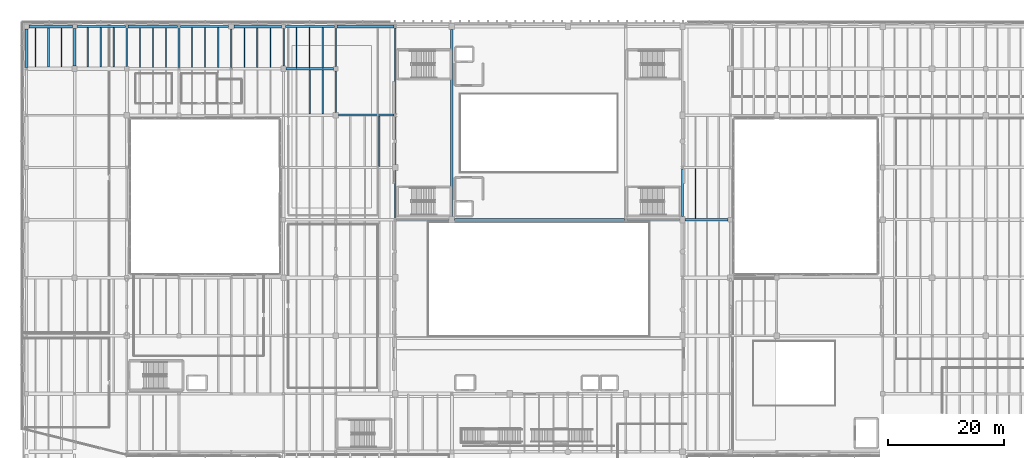
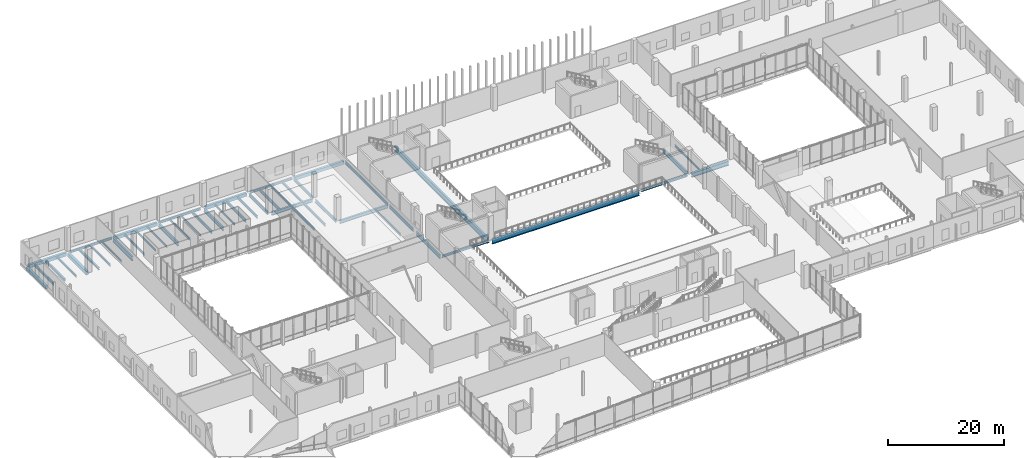
# One storey, part 37 of 81: 48 beams.
"""IFC4 building model written with IfcOpenShell, lengths in metres."""

from ifc_helpers import new_model, si_unit, direction, frame, origin, origin_2d, place, context, subcontext, project, spatial, rectangle, i_section, extrude, material, material_profile, profile_set, type_object, element, save


model = new_model("IFC4")

# Units and contexts
model_context = context("Model", 3, precision=1e-05, world=origin(), true_north=direction((0.0, 1.0)))
body_context = subcontext(model_context, "Body", "Model", "MODEL_VIEW")
ifc_project = project(units=[si_unit("LENGTHUNIT", "METRE"), si_unit("AREAUNIT", "SQUARE_METRE"), si_unit("VOLUMEUNIT", "CUBIC_METRE"), si_unit("PLANEANGLEUNIT", "RADIAN"), si_unit("MASSUNIT", "GRAM", prefix="KILO")], contexts=[model_context])

# Site, building, storey
site_placement = place(None, origin())
site = spatial("IfcSite", under=ifc_project, at=site_placement, CompositionType="ELEMENT")
building_placement = place(site_placement, origin())
building = spatial("IfcBuilding", under=site, at=building_placement, Name="Trimount Lyric Opera House", CompositionType="ELEMENT")
storey_placement = place(building_placement, frame((0.0, 0.0, 5.0)))
storey = spatial("IfcBuildingStorey", under=building, at=storey_placement, Name="L01", CompositionType="ELEMENT", Elevation=5.0)

# Beams
ifc_material_1 = material(Name="Steel ASTM A992 Grade 50", Category="steel")
ifc_material_profile_1 = material_profile(ifc_material_1, i_section(OverallWidth=0.4189453125, OverallDepth=0.927001953125, WebThickness=0.019287109375, FlangeThickness=0.031982421875, FilletRadius=0.02392578125, at=origin_2d()), Name="W36X231")
ifc_profile_set_1 = profile_set([ifc_material_profile_1], Name="Steel ASTM A992 Grade 50")
beam_type_1 = type_object("IfcBeamType", Name="B-02", PredefinedType="BEAM", material=ifc_profile_set_1)
beam_1_placement = place(storey_placement, frame((114.18994140625, 84.0, -0.78857421875), z_axis=(1.0, 0.0, 0.0), x_axis=(0.0, 1.0, 0.0)))
element("IfcBeam", 1, at=beam_1_placement, inside=storey, type_object=beam_type_1, Name="L01 girder X-0539", PredefinedType="BEAM", context=body_context, shape_type="SweptSolid", body=[
    extrude(i_section(OverallWidth=0.4189453125, OverallDepth=0.927001953125, WebThickness=0.019287109375, FlangeThickness=0.031982421875, FilletRadius=0.02392578125, at=origin_2d()), origin(), (0.0, 0.0, 1.0), 7.41015625),
])
ifc_material_2 = material(Name="Steel ASTM A992 Grade 50", Category="steel")
ifc_material_profile_2 = material_profile(ifc_material_2, i_section(OverallWidth=0.304931640625, OverallDepth=0.9189453125, WebThickness=0.017333984375, FlangeThickness=0.02783203125, FilletRadius=0.02001953125, at=origin_2d()), Name="W36X170")
ifc_profile_set_2 = profile_set([ifc_material_profile_2], Name="Steel ASTM A992 Grade 50")
beam_type_2 = type_object("IfcBeamType", Name="B-03", PredefinedType="BEAM", material=ifc_profile_set_2)
beam_2_placement = place(storey_placement, frame((18.0, 110.375, -0.739501953125), z_axis=(0.0, 1.0, 0.0), x_axis=(-1.0, 0.0, 0.0)))
element("IfcBeam", 2, at=beam_2_placement, inside=storey, type_object=beam_type_2, Name="L01 girder Y-0618", PredefinedType="BEAM", context=body_context, shape_type="SweptSolid", body=[
    extrude(i_section(OverallWidth=0.304931640625, OverallDepth=0.9189453125, WebThickness=0.017333984375, FlangeThickness=0.02783203125, FilletRadius=0.02001953125, at=origin_2d()), origin(), (0.0, 0.0, 1.0), 6.72705078125),
])
beam_3_placement = place(storey_placement, frame((113.739990234375, 84.550048828125, -0.784423828125), z_axis=(0.0, 1.0, 0.0), x_axis=(-1.0, 0.0, 0.0)))
element("IfcBeam", 3, at=beam_3_placement, inside=storey, type_object=beam_type_2, Name="L01 girder Y-0667", PredefinedType="BEAM", context=body_context, shape_type="SweptSolid", body=[
    extrude(i_section(OverallWidth=0.304931640625, OverallDepth=0.9189453125, WebThickness=0.017333984375, FlangeThickness=0.02783203125, FilletRadius=0.02001953125, at=origin_2d()), origin(), (0.0, 0.0, 1.0), 8.217529296875),
])
ifc_material_3 = material(Name="Steel ASTM A992 Grade 50", Category="steel")
ifc_material_profile_3 = material_profile(ifc_material_3, i_section(OverallWidth=0.2919921875, OverallDepth=0.845947265625, WebThickness=0.015380859375, FlangeThickness=0.0244140625, FilletRadius=0.01806640625, at=origin_2d()), Name="W33X141")
ifc_profile_set_3 = profile_set([ifc_material_profile_3], Name="Steel ASTM A992 Grade 50")
beam_type_3 = type_object("IfcBeamType", Name="B-05", PredefinedType="BEAM", material=ifc_profile_set_3)
beam_4_placement = place(storey_placement, frame((27.0, 110.177978515625, -0.702880859375), z_axis=(0.0, 1.0, 0.0), x_axis=(-1.0, 0.0, 0.0)))
element("IfcBeam", 4, at=beam_4_placement, inside=storey, type_object=beam_type_3, Name="L01 girder Y-0622", PredefinedType="BEAM", context=body_context, shape_type="SweptSolid", body=[
    extrude(i_section(OverallWidth=0.2919921875, OverallDepth=0.845947265625, WebThickness=0.015380859375, FlangeThickness=0.0244140625, FilletRadius=0.01806640625, at=origin_2d()), origin(), (0.0, 0.0, 1.0), 6.91796875),
])
ifc_material_4 = material(Name="Steel ASTM A992 Grade 50", Category="steel")
ifc_material_profile_4 = material_profile(ifc_material_4, i_section(OverallWidth=0.26708984375, OverallDepth=0.761962890625, WebThickness=0.014404296875, FlangeThickness=0.021484375, FilletRadius=0.01708984375, at=origin_2d()), Name="W30X116")
ifc_profile_set_4 = profile_set([ifc_material_profile_4], Name="Steel ASTM A992 Grade 50")
beam_type_4 = type_object("IfcBeamType", Name="B-07", PredefinedType="BEAM", material=ifc_profile_set_4)
beam_5_placement = place(storey_placement, frame((36.0, 110.18408203125, -0.660888671875), z_axis=(0.0, 1.0, 0.0), x_axis=(-1.0, 0.0, 0.0)))
element("IfcBeam", 5, at=beam_5_placement, inside=storey, type_object=beam_type_4, Name="L01 girder Y-0626", PredefinedType="BEAM", context=body_context, shape_type="SweptSolid", body=[
    extrude(i_section(OverallWidth=0.26708984375, OverallDepth=0.761962890625, WebThickness=0.014404296875, FlangeThickness=0.021484375, FilletRadius=0.01708984375, at=origin_2d()), origin(), (0.0, 0.0, 1.0), 6.64599609375),
])
beam_6_placement = place(storey_placement, frame((64.260009765625, 84.232421875, -0.7060546875), z_axis=(0.0, 1.0, 0.0), x_axis=(-1.0, 0.0, 0.0)))
element("IfcBeam", 6, at=beam_6_placement, inside=storey, type_object=beam_type_4, Name="L01 girder Y-0653", PredefinedType="BEAM", context=body_context, shape_type="SweptSolid", body=[
    extrude(i_section(OverallWidth=0.26708984375, OverallDepth=0.761962890625, WebThickness=0.014404296875, FlangeThickness=0.021484375, FilletRadius=0.01708984375, at=origin_2d()), origin(), (0.0, 0.0, 1.0), 8.217529296875),
])
ifc_material_5 = material(Name="Steel ASTM A992 Grade 50", Category="steel")
ifc_material_profile_5 = material_profile(ifc_material_5, i_section(OverallWidth=0.35595703125, OverallDepth=0.700927734375, WebThickness=0.016845703125, FlangeThickness=0.02734375, FilletRadius=0.01806640625, at=origin_2d()), Name="W27X161")
ifc_profile_set_5 = profile_set([ifc_material_profile_5], Name="Steel ASTM A992 Grade 50")
beam_type_5 = type_object("IfcBeamType", Name="B-08", PredefinedType="BEAM", material=ifc_profile_set_5)
beam_7_placement = place(storey_placement, frame((54.449951171875, 102.0, -0.675537109375), z_axis=(1.0, 0.0, 0.0), x_axis=(0.0, 1.0, 0.0)))
element("IfcBeam", 7, at=beam_7_placement, inside=storey, type_object=beam_type_5, Name="L01 girder X-0555", PredefinedType="BEAM", context=body_context, shape_type="SweptSolid", body=[
    extrude(i_section(OverallWidth=0.35595703125, OverallDepth=0.700927734375, WebThickness=0.016845703125, FlangeThickness=0.02734375, FilletRadius=0.01806640625, at=origin_2d()), origin(), (0.0, 0.0, 1.0), 9.59912109375),
])
beam_8_placement = place(storey_placement, frame((45.449951171875, 110.0, -0.630615234375), z_axis=(1.0, 0.0, 0.0), x_axis=(0.0, 1.0, 0.0)))
element("IfcBeam", 8, at=beam_8_placement, inside=storey, type_object=beam_type_5, Name="L01 girder X-0568", PredefinedType="BEAM", context=body_context, shape_type="SweptSolid", body=[
    extrude(i_section(OverallWidth=0.35595703125, OverallDepth=0.700927734375, WebThickness=0.016845703125, FlangeThickness=0.02734375, FilletRadius=0.01806640625, at=origin_2d()), origin(), (0.0, 0.0, 1.0), 8.175048828125),
])
ifc_material_6 = material(Name="Steel ASTM A992 Grade 50", Category="steel")
ifc_material_profile_6 = material_profile(ifc_material_6, i_section(OverallWidth=0.25390625, OverallDepth=0.68798828125, WebThickness=0.01318359375, FlangeThickness=0.02099609375, FilletRadius=0.01611328125, at=origin_2d()), Name="W27X102")
ifc_profile_set_6 = profile_set([ifc_material_profile_6], Name="Steel ASTM A992 Grade 50")
beam_type_6 = type_object("IfcBeamType", Name="B-09", PredefinedType="BEAM", material=ifc_profile_set_6)
beam_9_placement = place(storey_placement, frame((45.0, 110.449951171875, -0.6240234375), z_axis=(0.0, 1.0, 0.0), x_axis=(-1.0, 0.0, 0.0)))
element("IfcBeam", 9, at=beam_9_placement, inside=storey, type_object=beam_type_6, Name="L01 girder Y-0636", PredefinedType="BEAM", context=body_context, shape_type="SweptSolid", body=[
    extrude(i_section(OverallWidth=0.25390625, OverallDepth=0.68798828125, WebThickness=0.01318359375, FlangeThickness=0.02099609375, FilletRadius=0.01611328125, at=origin_2d()), origin(), (0.0, 0.0, 1.0), 6.455078125),
])
beam_10_placement = place(storey_placement, frame((54.0, 102.449951171875, -0.6240234375), z_axis=(0.0, 1.0, 0.0), x_axis=(-1.0, 0.0, 0.0)))
element("IfcBeam", 10, at=beam_10_placement, inside=storey, type_object=beam_type_6, Name="L01 girder Y-0645", PredefinedType="BEAM", context=body_context, shape_type="SweptSolid", body=[
    extrude(i_section(OverallWidth=0.25390625, OverallDepth=0.68798828125, WebThickness=0.01318359375, FlangeThickness=0.02099609375, FilletRadius=0.01611328125, at=origin_2d()), origin(), (0.0, 0.0, 1.0), 7.175048828125),
])
beam_11_placement = place(storey_placement, frame((64.260009765625, 93.550048828125, -0.6689453125), z_axis=(0.0, 1.0, 0.0), x_axis=(-1.0, 0.0, 0.0)))
element("IfcBeam", 11, at=beam_11_placement, inside=storey, type_object=beam_type_6, Name="L01 girder Y-0654", PredefinedType="BEAM", context=body_context, shape_type="SweptSolid", body=[
    extrude(i_section(OverallWidth=0.25390625, OverallDepth=0.68798828125, WebThickness=0.01318359375, FlangeThickness=0.02099609375, FilletRadius=0.01611328125, at=origin_2d()), origin(), (0.0, 0.0, 1.0), 8.217529296875),
])
ifc_material_7 = material(Name="Steel ASTM A992 Grade 50", Category="steel")
ifc_material_profile_7 = material_profile(ifc_material_7, i_section(OverallWidth=0.22998046875, OverallDepth=0.616943359375, WebThickness=0.01318359375, FlangeThickness=0.022216796875, FilletRadius=0.013916015625, at=origin_2d()), Name="W24X94")
ifc_profile_set_7 = profile_set([ifc_material_profile_7], Name="Steel ASTM A992 Grade 50")
beam_type_7 = type_object("IfcBeamType", Name="B-11", PredefinedType="BEAM", material=ifc_profile_set_7)
beam_12_placement = place(storey_placement, frame((54.0, 110.375, -0.58837890625), z_axis=(0.0, 1.0, 0.0), x_axis=(-1.0, 0.0, 0.0)))
element("IfcBeam", 12, at=beam_12_placement, inside=storey, type_object=beam_type_7, Name="L01 girder Y-0646", PredefinedType="BEAM", context=body_context, shape_type="SweptSolid", body=[
    extrude(i_section(OverallWidth=0.22998046875, OverallDepth=0.616943359375, WebThickness=0.01318359375, FlangeThickness=0.022216796875, FilletRadius=0.013916015625, at=origin_2d()), origin(), (0.0, 0.0, 1.0), 6.72705078125),
])
beam_13_placement = place(storey_placement, frame((64.260009765625, 102.232421875, -0.633544921875), z_axis=(0.0, 1.0, 0.0), x_axis=(-1.0, 0.0, 0.0)))
element("IfcBeam", 13, at=beam_13_placement, inside=storey, type_object=beam_type_7, Name="L01 girder Y-0655", PredefinedType="BEAM", context=body_context, shape_type="SweptSolid", body=[
    extrude(i_section(OverallWidth=0.22998046875, OverallDepth=0.616943359375, WebThickness=0.01318359375, FlangeThickness=0.022216796875, FilletRadius=0.013916015625, at=origin_2d()), origin(), (0.0, 0.0, 1.0), 14.815185546875),
])
ifc_material_8 = material(Name="Concrete C40/50", Category="concrete")
ifc_material_profile_8 = material_profile(ifc_material_8, rectangle(XDim=0.5, YDim=0.800048828125, at=origin_2d()), Name="RC500X800")
ifc_profile_set_8 = profile_set([ifc_material_profile_8], Name="Concrete C40/50")
beam_type_8 = type_object("IfcBeamType", Name="B-15", PredefinedType="BEAM", material=ifc_profile_set_8)
beam_14_placement = place(storey_placement, frame((9.0, 110.449951171875, -0.679931640625), z_axis=(0.0, 1.0, 0.0), x_axis=(-1.0, 0.0, 0.0)))
element("IfcBeam", 14, at=beam_14_placement, inside=storey, type_object=beam_type_8, Name="L01 girder Y-0610", PredefinedType="BEAM", context=body_context, shape_type="SweptSolid", body=[
    extrude(rectangle(XDim=0.5, YDim=0.800048828125, at=origin_2d()), origin(), (0.0, 0.0, 1.0), 6.455078125),
])
ifc_material_9 = material(Name="Steel ASTM A992 Grade 50", Category="steel")
ifc_material_profile_9 = material_profile(ifc_material_9, i_section(OverallWidth=0.22802734375, OverallDepth=0.60205078125, WebThickness=0.010498046875, FlangeThickness=0.014892578125, FilletRadius=0.012939453125, at=origin_2d()), Name="W24X68")
ifc_profile_set_9 = profile_set([ifc_material_profile_9], Name="Steel ASTM A992 Grade 50")
beam_type_9 = type_object("IfcBeamType", Name="J-01", PredefinedType="BEAM", material=ifc_profile_set_9)
beam_15_placement = place(storey_placement, frame((33.75, 110.196533203125, -0.5810546875), z_axis=(0.0, 1.0, 0.0), x_axis=(-1.0, 0.0, 0.0)))
element("IfcBeam", 15, at=beam_15_placement, inside=storey, type_object=beam_type_9, Name="L01 composite floor joist 0620", PredefinedType="BEAM", context=body_context, shape_type="SweptSolid", body=[
    extrude(i_section(OverallWidth=0.22802734375, OverallDepth=0.60205078125, WebThickness=0.010498046875, FlangeThickness=0.014892578125, FilletRadius=0.012939453125, at=origin_2d()), origin(), (0.0, 0.0, 1.0), 6.946533203125),
])
beam_16_placement = place(storey_placement, frame((40.5, 110.18701171875, -0.5810546875), z_axis=(0.0, 1.0, 0.0), x_axis=(-1.0, 0.0, 0.0)))
element("IfcBeam", 16, at=beam_16_placement, inside=storey, type_object=beam_type_9, Name="L01 composite floor joist 0631", PredefinedType="BEAM", context=body_context, shape_type="SweptSolid", body=[
    extrude(i_section(OverallWidth=0.22802734375, OverallDepth=0.60205078125, WebThickness=0.010498046875, FlangeThickness=0.014892578125, FilletRadius=0.012939453125, at=origin_2d()), origin(), (0.0, 0.0, 1.0), 6.8720703125),
])
beam_17_placement = place(storey_placement, frame((49.5, 102.18701171875, -0.5810546875), z_axis=(0.0, 1.0, 0.0), x_axis=(-1.0, 0.0, 0.0)))
element("IfcBeam", 17, at=beam_17_placement, inside=storey, type_object=beam_type_9, Name="L01 composite floor joist 0657", PredefinedType="BEAM", context=body_context, shape_type="SweptSolid", body=[
    extrude(i_section(OverallWidth=0.22802734375, OverallDepth=0.60205078125, WebThickness=0.010498046875, FlangeThickness=0.014892578125, FilletRadius=0.012939453125, at=origin_2d()), origin(), (0.0, 0.0, 1.0), 7.638916015625),
])
beam_18_placement = place(storey_placement, frame((47.25, 110.174072265625, -0.5810546875), z_axis=(0.0, 1.0, 0.0), x_axis=(-1.0, 0.0, 0.0)))
element("IfcBeam", 18, at=beam_18_placement, inside=storey, type_object=beam_type_9, Name="L01 composite floor joist 0659", PredefinedType="BEAM", context=body_context, shape_type="SweptSolid", body=[
    extrude(i_section(OverallWidth=0.22802734375, OverallDepth=0.60205078125, WebThickness=0.010498046875, FlangeThickness=0.014892578125, FilletRadius=0.012939453125, at=origin_2d()), origin(), (0.0, 0.0, 1.0), 6.968994140625),
])
ifc_material_10 = material(Name="Steel ASTM A992 Grade 50", Category="steel")
ifc_material_profile_10 = material_profile(ifc_material_10, i_section(OverallWidth=0.2099609375, OverallDepth=0.532958984375, WebThickness=0.01025390625, FlangeThickness=0.015625, FilletRadius=0.012939453125, at=origin_2d()), Name="W21X62")
ifc_profile_set_10 = profile_set([ifc_material_profile_10], Name="Steel ASTM A992 Grade 50")
beam_type_10 = type_object("IfcBeamType", Name="J-02", PredefinedType="BEAM", material=ifc_profile_set_10)
beam_19_placement = place(storey_placement, frame((2.25, 110.2958984375, -0.54638671875), z_axis=(0.0, 1.0, 0.0), x_axis=(-1.0, 0.0, 0.0)))
element("IfcBeam", 19, at=beam_19_placement, inside=storey, type_object=beam_type_10, Name="L01 composite floor joist 0587", PredefinedType="BEAM", context=body_context, shape_type="SweptSolid", body=[
    extrude(i_section(OverallWidth=0.2099609375, OverallDepth=0.532958984375, WebThickness=0.01025390625, FlangeThickness=0.015625, FilletRadius=0.012939453125, at=origin_2d()), origin(), (0.0, 0.0, 1.0), 6.76318359375),
])
beam_20_placement = place(storey_placement, frame((42.75, 110.18701171875, -0.54638671875), z_axis=(0.0, 1.0, 0.0), x_axis=(-1.0, 0.0, 0.0)))
element("IfcBeam", 20, at=beam_20_placement, inside=storey, type_object=beam_type_10, Name="L01 composite floor joist 0632", PredefinedType="BEAM", context=body_context, shape_type="SweptSolid", body=[
    extrude(i_section(OverallWidth=0.2099609375, OverallDepth=0.532958984375, WebThickness=0.01025390625, FlangeThickness=0.015625, FilletRadius=0.012939453125, at=origin_2d()), origin(), (0.0, 0.0, 1.0), 6.8720703125),
])
beam_21_placement = place(storey_placement, frame((51.75, 102.18701171875, -0.54638671875), z_axis=(0.0, 1.0, 0.0), x_axis=(-1.0, 0.0, 0.0)))
element("IfcBeam", 21, at=beam_21_placement, inside=storey, type_object=beam_type_10, Name="L01 composite floor joist 0658", PredefinedType="BEAM", context=body_context, shape_type="SweptSolid", body=[
    extrude(i_section(OverallWidth=0.2099609375, OverallDepth=0.532958984375, WebThickness=0.01025390625, FlangeThickness=0.015625, FilletRadius=0.012939453125, at=origin_2d()), origin(), (0.0, 0.0, 1.0), 7.638916015625),
])
beam_22_placement = place(storey_placement, frame((49.5, 110.174072265625, -0.54638671875), z_axis=(0.0, 1.0, 0.0), x_axis=(-1.0, 0.0, 0.0)))
element("IfcBeam", 22, at=beam_22_placement, inside=storey, type_object=beam_type_10, Name="L01 composite floor joist 0660", PredefinedType="BEAM", context=body_context, shape_type="SweptSolid", body=[
    extrude(i_section(OverallWidth=0.2099609375, OverallDepth=0.532958984375, WebThickness=0.01025390625, FlangeThickness=0.015625, FilletRadius=0.012939453125, at=origin_2d()), origin(), (0.0, 0.0, 1.0), 6.968994140625),
])
beam_23_placement = place(storey_placement, frame((61.5, 93.18701171875, -0.54638671875), z_axis=(0.0, 1.0, 0.0), x_axis=(-1.0, 0.0, 0.0)))
element("IfcBeam", 23, at=beam_23_placement, inside=storey, type_object=beam_type_10, Name="L01 composite floor joist 0682", PredefinedType="BEAM", context=body_context, shape_type="SweptSolid", body=[
    extrude(i_section(OverallWidth=0.2099609375, OverallDepth=0.532958984375, WebThickness=0.01025390625, FlangeThickness=0.015625, FilletRadius=0.012939453125, at=origin_2d()), origin(), (0.0, 0.0, 1.0), 8.638916015625),
])
ifc_material_11 = material(Name="Steel ASTM A992 Grade 50", Category="steel")
ifc_material_profile_11 = material_profile(ifc_material_11, i_section(OverallWidth=0.281982421875, OverallDepth=0.467041015625, WebThickness=0.01220703125, FlangeThickness=0.01953125, FilletRadius=0.012939453125, at=origin_2d()), Name="W18X86")
ifc_profile_set_11 = profile_set([ifc_material_profile_11], Name="Steel ASTM A992 Grade 50")
beam_type_11 = type_object("IfcBeamType", Name="J-03", PredefinedType="BEAM", material=ifc_profile_set_11)
beam_24_placement = place(storey_placement, frame((4.5, 110.2958984375, -0.513427734375), z_axis=(0.0, 1.0, 0.0), x_axis=(-1.0, 0.0, 0.0)))
element("IfcBeam", 24, at=beam_24_placement, inside=storey, type_object=beam_type_11, Name="L01 composite floor joist 0588", PredefinedType="BEAM", context=body_context, shape_type="SweptSolid", body=[
    extrude(i_section(OverallWidth=0.281982421875, OverallDepth=0.467041015625, WebThickness=0.01220703125, FlangeThickness=0.01953125, FilletRadius=0.012939453125, at=origin_2d()), origin(), (0.0, 0.0, 1.0), 6.76318359375),
])
beam_25_placement = place(storey_placement, frame((11.25, 110.27099609375, -0.513427734375), z_axis=(0.0, 1.0, 0.0), x_axis=(-1.0, 0.0, 0.0)))
element("IfcBeam", 25, at=beam_25_placement, inside=storey, type_object=beam_type_11, Name="L01 composite floor joist 0596", PredefinedType="BEAM", context=body_context, shape_type="SweptSolid", body=[
    extrude(i_section(OverallWidth=0.281982421875, OverallDepth=0.467041015625, WebThickness=0.01220703125, FlangeThickness=0.01953125, FilletRadius=0.012939453125, at=origin_2d()), origin(), (0.0, 0.0, 1.0), 6.8720703125),
])
beam_26_placement = place(storey_placement, frame((51.75, 110.174072265625, -0.513427734375), z_axis=(0.0, 1.0, 0.0), x_axis=(-1.0, 0.0, 0.0)))
element("IfcBeam", 26, at=beam_26_placement, inside=storey, type_object=beam_type_11, Name="L01 composite floor joist 0661", PredefinedType="BEAM", context=body_context, shape_type="SweptSolid", body=[
    extrude(i_section(OverallWidth=0.281982421875, OverallDepth=0.467041015625, WebThickness=0.01220703125, FlangeThickness=0.01953125, FilletRadius=0.012939453125, at=origin_2d()), origin(), (0.0, 0.0, 1.0), 6.968994140625),
])
ifc_material_12 = material(Name="Steel ASTM A992 Grade 50", Category="steel")
ifc_material_profile_12 = material_profile(ifc_material_12, i_section(OverallWidth=0.19091796875, OverallDepth=0.45703125, WebThickness=0.009033203125, FlangeThickness=0.014404296875, FilletRadius=0.010986328125, at=origin_2d()), Name="W18X50")
ifc_profile_set_12 = profile_set([ifc_material_profile_12], Name="Steel ASTM A992 Grade 50")
beam_type_12 = type_object("IfcBeamType", Name="J-04", PredefinedType="BEAM", material=ifc_profile_set_12)
beam_27_placement = place(storey_placement, frame((6.75, 110.2958984375, -0.508544921875), z_axis=(0.0, 1.0, 0.0), x_axis=(-1.0, 0.0, 0.0)))
element("IfcBeam", 27, at=beam_27_placement, inside=storey, type_object=beam_type_12, Name="L01 composite floor joist 0589", PredefinedType="BEAM", context=body_context, shape_type="SweptSolid", body=[
    extrude(i_section(OverallWidth=0.19091796875, OverallDepth=0.45703125, WebThickness=0.009033203125, FlangeThickness=0.014404296875, FilletRadius=0.010986328125, at=origin_2d()), origin(), (0.0, 0.0, 1.0), 6.76318359375),
])
beam_28_placement = place(storey_placement, frame((13.5, 110.27099609375, -0.508544921875), z_axis=(0.0, 1.0, 0.0), x_axis=(-1.0, 0.0, 0.0)))
element("IfcBeam", 28, at=beam_28_placement, inside=storey, type_object=beam_type_12, Name="L01 composite floor joist 0597", PredefinedType="BEAM", context=body_context, shape_type="SweptSolid", body=[
    extrude(i_section(OverallWidth=0.19091796875, OverallDepth=0.45703125, WebThickness=0.009033203125, FlangeThickness=0.014404296875, FilletRadius=0.010986328125, at=origin_2d()), origin(), (0.0, 0.0, 1.0), 6.8720703125),
])
beam_29_placement = place(storey_placement, frame((20.25, 110.20556640625, -0.508544921875), z_axis=(0.0, 1.0, 0.0), x_axis=(-1.0, 0.0, 0.0)))
element("IfcBeam", 29, at=beam_29_placement, inside=storey, type_object=beam_type_12, Name="L01 composite floor joist 0608", PredefinedType="BEAM", context=body_context, shape_type="SweptSolid", body=[
    extrude(i_section(OverallWidth=0.19091796875, OverallDepth=0.45703125, WebThickness=0.009033203125, FlangeThickness=0.014404296875, FilletRadius=0.010986328125, at=origin_2d()), origin(), (0.0, 0.0, 1.0), 6.853515625),
])
ifc_material_13 = material(Name="Steel ASTM A992 Grade 50", Category="steel")
ifc_material_profile_13 = material_profile(ifc_material_13, i_section(OverallWidth=0.180908203125, OverallDepth=0.4169921875, WebThickness=0.010986328125, FlangeThickness=0.018310546875, FilletRadius=0.010986328125, at=origin_2d()), Name="W16X57")
ifc_profile_set_13 = profile_set([ifc_material_profile_13], Name="Steel ASTM A992 Grade 50")
beam_type_13 = type_object("IfcBeamType", Name="J-05", PredefinedType="BEAM", material=ifc_profile_set_13)
beam_30_placement = place(storey_placement, frame((15.75, 110.27099609375, -0.488525390625), z_axis=(0.0, 1.0, 0.0), x_axis=(-1.0, 0.0, 0.0)))
element("IfcBeam", 30, at=beam_30_placement, inside=storey, type_object=beam_type_13, Name="L01 composite floor joist 0598", PredefinedType="BEAM", context=body_context, shape_type="SweptSolid", body=[
    extrude(i_section(OverallWidth=0.180908203125, OverallDepth=0.4169921875, WebThickness=0.010986328125, FlangeThickness=0.018310546875, FilletRadius=0.010986328125, at=origin_2d()), origin(), (0.0, 0.0, 1.0), 6.8720703125),
])
beam_31_placement = place(storey_placement, frame((22.5, 110.20556640625, -0.488525390625), z_axis=(0.0, 1.0, 0.0), x_axis=(-1.0, 0.0, 0.0)))
element("IfcBeam", 31, at=beam_31_placement, inside=storey, type_object=beam_type_13, Name="L01 composite floor joist 0609", PredefinedType="BEAM", context=body_context, shape_type="SweptSolid", body=[
    extrude(i_section(OverallWidth=0.180908203125, OverallDepth=0.4169921875, WebThickness=0.010986328125, FlangeThickness=0.018310546875, FilletRadius=0.010986328125, at=origin_2d()), origin(), (0.0, 0.0, 1.0), 6.853515625),
])
beam_32_placement = place(storey_placement, frame((29.25, 110.196533203125, -0.488525390625), z_axis=(0.0, 1.0, 0.0), x_axis=(-1.0, 0.0, 0.0)))
element("IfcBeam", 32, at=beam_32_placement, inside=storey, type_object=beam_type_13, Name="L01 composite floor joist 0618", PredefinedType="BEAM", context=body_context, shape_type="SweptSolid", body=[
    extrude(i_section(OverallWidth=0.180908203125, OverallDepth=0.4169921875, WebThickness=0.010986328125, FlangeThickness=0.018310546875, FilletRadius=0.010986328125, at=origin_2d()), origin(), (0.0, 0.0, 1.0), 6.946533203125),
])
beam_33_placement = place(storey_placement, frame((116.0, 84.20556640625, -0.5185546875), z_axis=(0.0, 1.0, 0.0), x_axis=(-1.0, 0.0, 0.0)))
element("IfcBeam", 33, at=beam_33_placement, inside=storey, type_object=beam_type_13, Name="L01 composite floor joist 0707", PredefinedType="BEAM", context=body_context, shape_type="SweptSolid", body=[
    extrude(i_section(OverallWidth=0.180908203125, OverallDepth=0.4169921875, WebThickness=0.010986328125, FlangeThickness=0.018310546875, FilletRadius=0.010986328125, at=origin_2d()), origin(), (0.0, 0.0, 1.0), 8.597900390625),
])
ifc_material_14 = material(Name="Steel ASTM A992 Grade 50", Category="steel")
ifc_material_profile_14 = material_profile(ifc_material_14, i_section(OverallWidth=0.177978515625, OverallDepth=0.404052734375, WebThickness=0.007568359375, FlangeThickness=0.010986328125, FilletRadius=0.010009765625, at=origin_2d()), Name="W16X36")
ifc_profile_set_14 = profile_set([ifc_material_profile_14], Name="Steel ASTM A992 Grade 50")
beam_type_14 = type_object("IfcBeamType", Name="J-06", PredefinedType="BEAM", material=ifc_profile_set_14)
beam_34_placement = place(storey_placement, frame((24.75, 110.20556640625, -0.48193359375), z_axis=(0.0, 1.0, 0.0), x_axis=(-1.0, 0.0, 0.0)))
element("IfcBeam", 34, at=beam_34_placement, inside=storey, type_object=beam_type_14, Name="L01 composite floor joist 0610", PredefinedType="BEAM", context=body_context, shape_type="SweptSolid", body=[
    extrude(i_section(OverallWidth=0.177978515625, OverallDepth=0.404052734375, WebThickness=0.007568359375, FlangeThickness=0.010986328125, FilletRadius=0.010009765625, at=origin_2d()), origin(), (0.0, 0.0, 1.0), 6.853515625),
])
beam_35_placement = place(storey_placement, frame((31.5, 110.196533203125, -0.48193359375), z_axis=(0.0, 1.0, 0.0), x_axis=(-1.0, 0.0, 0.0)))
element("IfcBeam", 35, at=beam_35_placement, inside=storey, type_object=beam_type_14, Name="L01 composite floor joist 0619", PredefinedType="BEAM", context=body_context, shape_type="SweptSolid", body=[
    extrude(i_section(OverallWidth=0.177978515625, OverallDepth=0.404052734375, WebThickness=0.007568359375, FlangeThickness=0.010986328125, FilletRadius=0.010009765625, at=origin_2d()), origin(), (0.0, 0.0, 1.0), 6.946533203125),
])
beam_36_placement = place(storey_placement, frame((38.25, 110.18701171875, -0.48193359375), z_axis=(0.0, 1.0, 0.0), x_axis=(-1.0, 0.0, 0.0)))
element("IfcBeam", 36, at=beam_36_placement, inside=storey, type_object=beam_type_14, Name="L01 composite floor joist 0630", PredefinedType="BEAM", context=body_context, shape_type="SweptSolid", body=[
    extrude(i_section(OverallWidth=0.177978515625, OverallDepth=0.404052734375, WebThickness=0.007568359375, FlangeThickness=0.010986328125, FilletRadius=0.010009765625, at=origin_2d()), origin(), (0.0, 0.0, 1.0), 6.8720703125),
])
ifc_material_15 = material(Name="Steel ASTM A992 Grade 50", Category="steel")
ifc_material_profile_15 = material_profile(ifc_material_15, i_section(OverallWidth=0.281982421875, OverallDepth=0.467041015625, WebThickness=0.01220703125, FlangeThickness=0.01953125, FilletRadius=0.012939453125, at=origin_2d()), Name="W18X86")
ifc_profile_set_15 = profile_set([ifc_material_profile_15], Name="Steel ASTM A992 Grade 50")
beam_type_15 = type_object("IfcBeamType", Name="SP-01", PredefinedType="SPANDREL", material=ifc_profile_set_15)
for number, where, z_axis, x_axis, name in (
    (37, (64.470947265625, 84.0, -0.55859375), (1.0, 0.0, 0.0), (0.0, 1.0, 0.0), "L01 girder X-0536"),
    (38, (104.2109375, 84.0, -0.55859375), (1.0, 0.0, 0.0), (0.0, 1.0, 0.0), "L01 girder X-0538"),
):
    element("IfcBeam", number, at=place(storey_placement, frame(where, z_axis=z_axis, x_axis=x_axis)), inside=storey, type_object=beam_type_15, Name=name, PredefinedType="SPANDREL", context=body_context, shape_type="SweptSolid", body=[
        extrude(i_section(OverallWidth=0.281982421875, OverallDepth=0.467041015625, WebThickness=0.01220703125, FlangeThickness=0.01953125, FilletRadius=0.012939453125, at=origin_2d()), origin(), (0.0, 0.0, 1.0), 9.0791015625),
    ])
beam_37_placement = place(storey_placement, frame((9.375, 117.280029296875, -0.513427734375), z_axis=(1.0, 0.0, 0.0), x_axis=(0.0, 1.0, 0.0)))
element("IfcBeam", 39, at=beam_37_placement, inside=storey, type_object=beam_type_15, Name="L01 girder X-0576", PredefinedType="SPANDREL", context=body_context, shape_type="SweptSolid", body=[
    extrude(i_section(OverallWidth=0.281982421875, OverallDepth=0.467041015625, WebThickness=0.01220703125, FlangeThickness=0.01953125, FilletRadius=0.012939453125, at=origin_2d()), origin(), (0.0, 0.0, 1.0), 8.44091796875),
])
beam_38_placement = place(storey_placement, frame((27.1865234375, 117.280029296875, -0.513427734375), z_axis=(1.0, 0.0, 0.0), x_axis=(0.0, 1.0, 0.0)))
element("IfcBeam", 40, at=beam_38_placement, inside=storey, type_object=beam_type_15, Name="L01 girder X-0578", PredefinedType="SPANDREL", context=body_context, shape_type="SweptSolid", body=[
    extrude(i_section(OverallWidth=0.281982421875, OverallDepth=0.467041015625, WebThickness=0.01220703125, FlangeThickness=0.01953125, FilletRadius=0.012939453125, at=origin_2d()), origin(), (0.0, 0.0, 1.0), 8.363525390625),
])
beam_39_placement = place(storey_placement, frame((45.375, 117.280029296875, -0.513427734375), z_axis=(1.0, 0.0, 0.0), x_axis=(0.0, 1.0, 0.0)))
element("IfcBeam", 41, at=beam_39_placement, inside=storey, type_object=beam_type_15, Name="L01 girder X-0580", PredefinedType="SPANDREL", context=body_context, shape_type="SweptSolid", body=[
    extrude(i_section(OverallWidth=0.281982421875, OverallDepth=0.467041015625, WebThickness=0.01220703125, FlangeThickness=0.01953125, FilletRadius=0.012939453125, at=origin_2d()), origin(), (0.0, 0.0, 1.0), 8.44091796875),
])
ifc_material_16 = material(Name="Concrete C40/50", Category="concrete")
ifc_material_profile_16 = material_profile(ifc_material_16, rectangle(XDim=0.449951171875, YDim=0.699951171875, at=origin_2d()), Name="RC450X700")
ifc_profile_set_16 = profile_set([ifc_material_profile_16], Name="Concrete C40/50")
beam_type_16 = type_object("IfcBeamType", Name="SP-02", PredefinedType="SPANDREL", material=ifc_profile_set_16)
beam_40_placement = place(storey_placement, frame((1.169921875, 117.280029296875, -0.6298828125), z_axis=(1.0, 0.0, 0.0), x_axis=(0.0, 1.0, 0.0)))
element("IfcBeam", 42, at=beam_40_placement, inside=storey, type_object=beam_type_16, Name="L01 girder X-0575", PredefinedType="SPANDREL", context=body_context, shape_type="SweptSolid", body=[
    extrude(rectangle(XDim=0.449951171875, YDim=0.699951171875, at=origin_2d()), origin(), (0.0, 0.0, 1.0), 7.455078125),
])
beam_41_placement = place(storey_placement, frame((18.18408203125, 117.280029296875, -0.6298828125), z_axis=(1.0, 0.0, 0.0), x_axis=(0.0, 1.0, 0.0)))
element("IfcBeam", 43, at=beam_41_placement, inside=storey, type_object=beam_type_16, Name="L01 girder X-0577", PredefinedType="SPANDREL", context=body_context, shape_type="SweptSolid", body=[
    extrude(rectangle(XDim=0.449951171875, YDim=0.699951171875, at=origin_2d()), origin(), (0.0, 0.0, 1.0), 8.62939453125),
])
beam_42_placement = place(storey_placement, frame((36.449951171875, 117.280029296875, -0.6298828125), z_axis=(1.0, 0.0, 0.0), x_axis=(0.0, 1.0, 0.0)))
element("IfcBeam", 44, at=beam_42_placement, inside=storey, type_object=beam_type_16, Name="L01 girder X-0579", PredefinedType="SPANDREL", context=body_context, shape_type="SweptSolid", body=[
    extrude(rectangle(XDim=0.449951171875, YDim=0.699951171875, at=origin_2d()), origin(), (0.0, 0.0, 1.0), 8.175048828125),
])
beam_43_placement = place(storey_placement, frame((54.18408203125, 117.280029296875, -0.675048828125), z_axis=(1.0, 0.0, 0.0), x_axis=(0.0, 1.0, 0.0)))
element("IfcBeam", 45, at=beam_43_placement, inside=storey, type_object=beam_type_16, Name="L01 girder X-0581", PredefinedType="SPANDREL", context=body_context, shape_type="SweptSolid", body=[
    extrude(rectangle(XDim=0.449951171875, YDim=0.699951171875, at=origin_2d()), origin(), (0.0, 0.0, 1.0), 9.864990234375),
])
beam_44_placement = place(storey_placement, frame((0.719970703125, 110.18408203125, -0.6298828125), z_axis=(0.0, 1.0, 0.0), x_axis=(-1.0, 0.0, 0.0)))
element("IfcBeam", 46, at=beam_44_placement, inside=storey, type_object=beam_type_16, Name="L01 girder Y-0603", PredefinedType="SPANDREL", context=body_context, shape_type="SweptSolid", body=[
    extrude(rectangle(XDim=0.449951171875, YDim=0.699951171875, at=origin_2d()), origin(), (0.0, 0.0, 1.0), 6.64599609375),
])
ifc_material_17 = material(Name="Steel ASTM A992 Grade 50", Category="steel")
ifc_material_profile_17 = material_profile(ifc_material_17, i_section(OverallWidth=0.427001953125, OverallDepth=1.092041015625, WebThickness=0.031005859375, FlangeThickness=0.055908203125, FilletRadius=0.02490234375, at=origin_2d()), Name="W40X397")
ifc_profile_set_17 = profile_set([ifc_material_profile_17], Name="Steel ASTM A992 Grade 50")
beam_type_17 = type_object("IfcBeamType", Name="TG-02", PredefinedType="USERDEFINED", material=ifc_profile_set_17)
beam_45_placement = place(storey_placement, frame((74.0, 84.550048828125, -0.87109375), z_axis=(0.0, 1.0, 0.0), x_axis=(-1.0, 0.0, 0.0)))
element("IfcBeam", 47, at=beam_45_placement, inside=storey, type_object=beam_type_17, Name="L01 girder Y-0658", ObjectType="TRANSFER_GIRDER", PredefinedType="USERDEFINED", context=body_context, shape_type="SweptSolid", body=[
    extrude(i_section(OverallWidth=0.427001953125, OverallDepth=1.092041015625, WebThickness=0.031005859375, FlangeThickness=0.055908203125, FilletRadius=0.02490234375, at=origin_2d()), origin(), (0.0, 0.0, 1.0), 32.179931640625),
])
ifc_material_18 = material(Name="Steel ASTM A992 Grade 50", Category="steel")
ifc_material_profile_18 = material_profile(ifc_material_18, i_section(OverallWidth=0.4189453125, OverallDepth=1.052001953125, WebThickness=0.023681640625, FlangeThickness=0.0419921875, FilletRadius=0.02490234375, at=origin_2d()), Name="W40X297")
ifc_profile_set_18 = profile_set([ifc_material_profile_18], Name="Steel ASTM A992 Grade 50")
beam_type_18 = type_object("IfcBeamType", Name="TG-03", PredefinedType="USERDEFINED", material=ifc_profile_set_18)
beam_46_placement = place(storey_placement, frame((74.449951171875, 84.0, -0.85107421875), z_axis=(1.0, 0.0, 0.0), x_axis=(0.0, 1.0, 0.0)))
element("IfcBeam", 48, at=beam_46_placement, inside=storey, type_object=beam_type_18, Name="L01 girder X-0537", ObjectType="TRANSFER_GIRDER", PredefinedType="USERDEFINED", context=body_context, shape_type="SweptSolid", body=[
    extrude(i_section(OverallWidth=0.4189453125, OverallDepth=1.052001953125, WebThickness=0.023681640625, FlangeThickness=0.0419921875, FilletRadius=0.02490234375, at=origin_2d()), origin(), (0.0, 0.0, 1.0), 29.339111328125),
])

save(model, "model.ifc")
